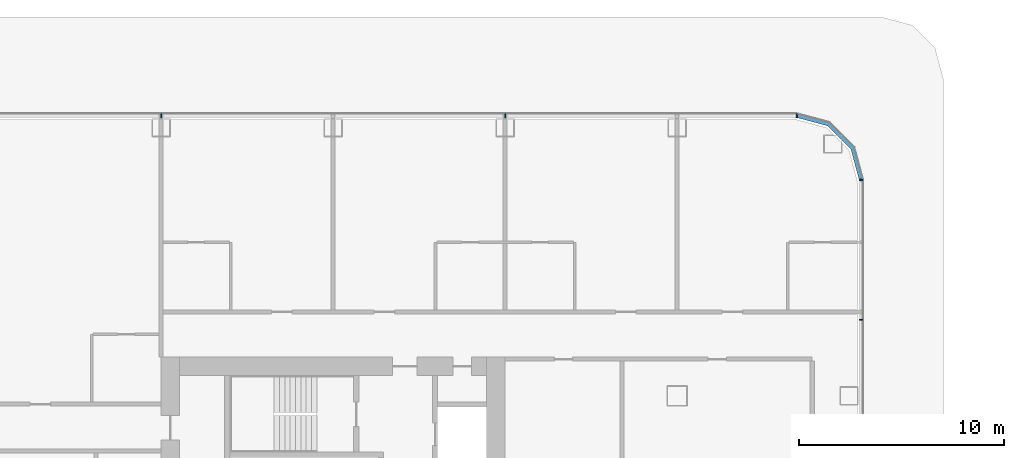
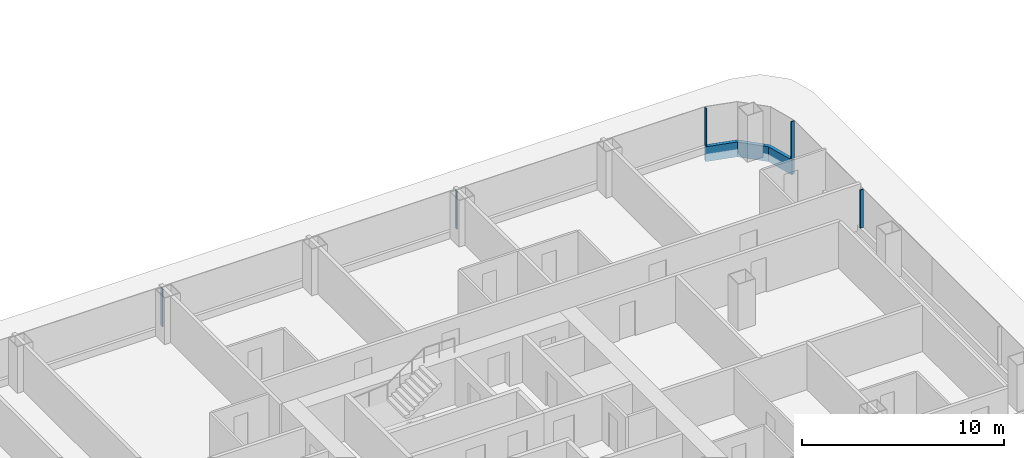
# One storey, part 12 of 42: 6 members, 3 elements without a shape of their own.
"""IFC4 building model written with IfcOpenShell, lengths in metres."""

from ifc_helpers import new_model, si_unit, direction, frame, origin, origin_2d, place, context, subcontext, project, spatial, polyline, rectangle, outline, extrude, material, layer, layer_set, material_profile, profile_set, type_object, element, aggregate, save


model = new_model("IFC4")

# Units and contexts
model_context = context("Model", 3, precision=1e-05, world=origin(), true_north=direction((0.0, 1.0)))
body_context = subcontext(model_context, "Body", "Model", "MODEL_VIEW")
ifc_project = project(units=[si_unit("LENGTHUNIT", "METRE"), si_unit("AREAUNIT", "SQUARE_METRE"), si_unit("VOLUMEUNIT", "CUBIC_METRE"), si_unit("PLANEANGLEUNIT", "RADIAN"), si_unit("MASSUNIT", "GRAM", prefix="KILO")], contexts=[model_context])

# Site, building, storey
site_placement = place(None, origin())
site = spatial("IfcSite", under=ifc_project, at=site_placement, CompositionType="ELEMENT")
building_placement = place(site_placement, origin())
building = spatial("IfcBuilding", under=site, at=building_placement, Name="Hakoniwa Tower and Hamabe Station Hall", CompositionType="ELEMENT")
storey_placement = place(building_placement, frame((0.0, 0.0, 19.800048828125)))
storey = spatial("IfcBuildingStorey", under=building, at=storey_placement, Name="L04", CompositionType="ELEMENT", Elevation=19.800048828125)

# Curtain wall, member
ifc_material_1 = material(Name="Dark low-e laminated glass", Category="glass")
ifc_layer = layer(ifc_material_1, 0.199951171875)
ifc_layer_set = layer_set([ifc_layer], Name="CW-1 UNITISED GUEST")
curtain_wall_type = type_object("IfcCurtainWallType", Name="CW-1 UNITISED GUEST", PredefinedType="NOTDEFINED", material=ifc_layer_set)
curtain_wall_1_placement = place(storey_placement, origin())
curtain_wall_1 = element("IfcCurtainWall", 1, at=curtain_wall_1_placement, inside=storey, type_object=curtain_wall_type, Name="CW-1 curtain wall", PredefinedType="NOTDEFINED")
ifc_material_2 = material(Name="Aluminium 6063-T5 black anodised", Category="aluminium")
ifc_material_profile_1 = material_profile(ifc_material_2, rectangle(XDim=0.199951171875, YDim=0.89990234375, at=origin_2d()), Name="CW SLAB-EDGE BAND 900X200")
ifc_profile_set_1 = profile_set([ifc_material_profile_1], Name="Aluminium 6063-T5 black anodised")
member_type_1 = type_object("IfcMemberType", Name="CW SLAB-EDGE BAND 900X200", PredefinedType="USERDEFINED", material=ifc_profile_set_1)
member_1_placement = place(storey_placement, frame((0.0, 0.0, -0.550048828125)))
member_1 = element("IfcMember", 2, at=member_1_placement, type_object=member_type_1, Name="CW-1 transom", ObjectType="TRANSOM", PredefinedType="USERDEFINED", context=body_context, shape_type="SweptSolid", body=[
    extrude(outline(polyline([(51.10009765625, 17.03955078125), (50.6669921875, 18.6552734375), (49.455322265625, 19.866943359375), (47.839599609375, 20.300048828125), (47.787841796875, 20.10693359375), (49.351806640625, 19.687744140625), (50.48779296875, 18.5517578125), (50.90673828125, 16.98779296875), (51.10009765625, 17.03955078125)])), origin(), (0.0, 0.0, 1.0), 0.89990234375),
])
aggregate(curtain_wall_1, [member_1])

# Curtain wall, members
curtain_wall_2_placement = place(storey_placement, origin())
curtain_wall_2 = element("IfcCurtainWall", 3, at=curtain_wall_2_placement, inside=storey, type_object=curtain_wall_type, Name="CW-1 curtain wall", PredefinedType="NOTDEFINED")
ifc_material_3 = material(Name="Aluminium 6063-T5 black anodised", Category="aluminium")
ifc_material_profile_2 = material_profile(ifc_material_3, rectangle(XDim=0.06005859375, YDim=0.179931640625, at=origin_2d()), Name="CW-1 MULLION 60X180")
ifc_profile_set_2 = profile_set([ifc_material_profile_2], Name="Aluminium 6063-T5 black anodised")
member_type_2 = type_object("IfcMemberType", Name="CW-1 MULLION 60X180", PredefinedType="MULLION", material=ifc_profile_set_2)
member_2_placement = place(storey_placement, frame((50.98193359375, 10.2236328125, 0.349853515625), z_axis=(0.0, 0.0, 1.0), x_axis=(0.0, 1.0, 0.0)))
member_2 = element("IfcMember", 4, at=member_2_placement, type_object=member_type_2, Name="CW-1 mullion", PredefinedType="MULLION", context=body_context, shape_type="SweptSolid", body=[
    extrude(rectangle(XDim=0.06005859375, YDim=0.179931640625, at=origin_2d()), origin(), (0.0, 0.0, 1.0), 2.300048828125),
])
member_3_placement = place(storey_placement, frame((50.98193359375, 17.03955078125, 0.349853515625), z_axis=(0.0, 0.0, 1.0), x_axis=(0.0, 1.0, 0.0)))
member_3 = element("IfcMember", 5, at=member_3_placement, type_object=member_type_2, Name="CW-1 mullion", PredefinedType="MULLION", context=body_context, shape_type="SweptSolid", body=[
    extrude(rectangle(XDim=0.06005859375, YDim=0.179931640625, at=origin_2d()), origin(), (0.0, 0.0, 1.0), 2.300048828125),
])
aggregate(curtain_wall_2, [member_2, member_3])

curtain_wall_3_placement = place(storey_placement, origin())
curtain_wall_3 = element("IfcCurtainWall", 6, at=curtain_wall_3_placement, inside=storey, type_object=curtain_wall_type, Name="CW-1 curtain wall", PredefinedType="NOTDEFINED")
member_4_placement = place(storey_placement, frame((47.839599609375, 20.181884765625, 0.349853515625), z_axis=(0.0, 0.0, 1.0), x_axis=(-1.0, 0.0, 0.0)))
member_4 = element("IfcMember", 7, at=member_4_placement, type_object=member_type_2, Name="CW-1 mullion", PredefinedType="MULLION", context=body_context, shape_type="SweptSolid", body=[
    extrude(rectangle(XDim=0.06005859375, YDim=0.179931640625, at=origin_2d()), origin(), (0.0, 0.0, 1.0), 2.300048828125),
])
member_5_placement = place(storey_placement, frame((33.60009765625, 20.181884765625, 0.349853515625), z_axis=(0.0, 0.0, 1.0), x_axis=(-1.0, 0.0, 0.0)))
member_5 = element("IfcMember", 8, at=member_5_placement, type_object=member_type_2, Name="CW-1 mullion", PredefinedType="MULLION", context=body_context, shape_type="SweptSolid", body=[
    extrude(rectangle(XDim=0.06005859375, YDim=0.179931640625, at=origin_2d()), origin(), (0.0, 0.0, 1.0), 2.300048828125),
])
member_6_placement = place(storey_placement, frame((16.800048828125, 20.181884765625, 0.349853515625), z_axis=(0.0, 0.0, 1.0), x_axis=(-1.0, 0.0, 0.0)))
member_6 = element("IfcMember", 9, at=member_6_placement, type_object=member_type_2, Name="CW-1 mullion", PredefinedType="MULLION", context=body_context, shape_type="SweptSolid", body=[
    extrude(rectangle(XDim=0.06005859375, YDim=0.179931640625, at=origin_2d()), origin(), (0.0, 0.0, 1.0), 2.300048828125),
])
aggregate(curtain_wall_3, [member_4, member_5, member_6])

save(model, "model.ifc")
